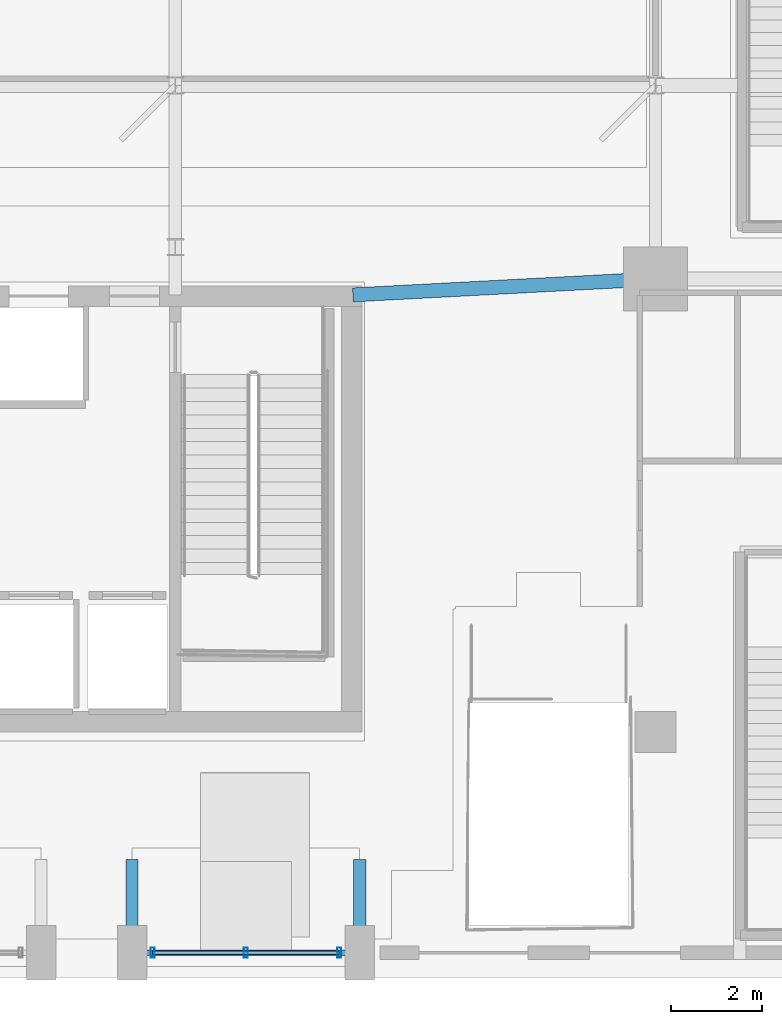
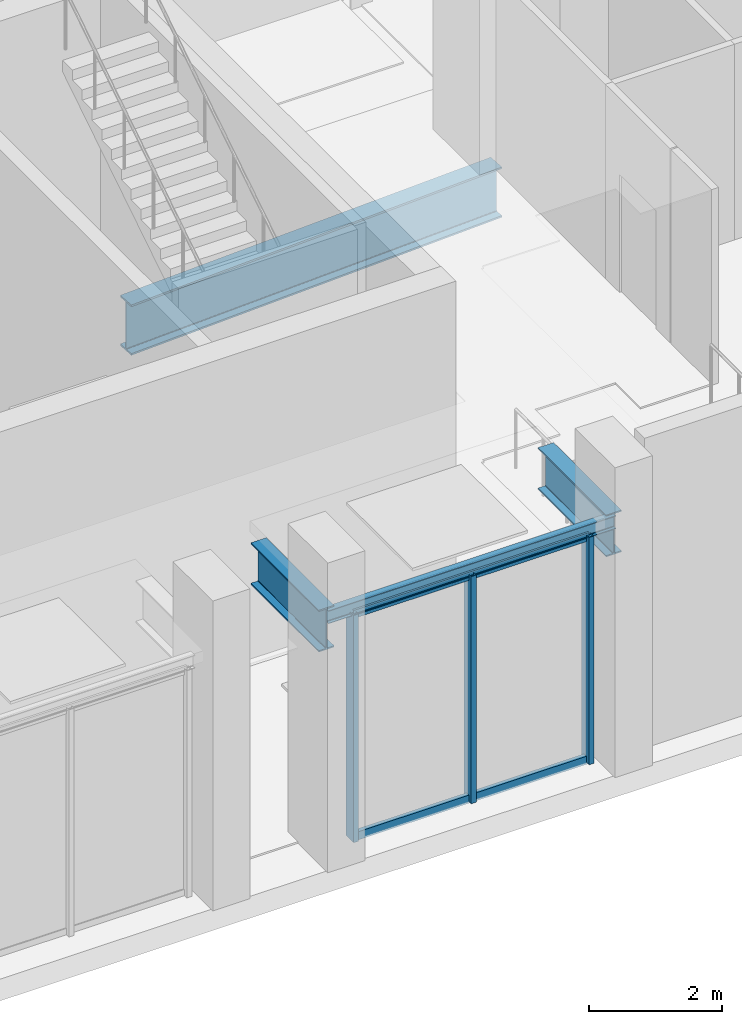
# One storey, part 9 of 36: 5 members, 4 beams, 1 element without a shape of its own.
"""IFC4 building model written with IfcOpenShell, lengths in metres."""

from ifc_helpers import new_model, si_unit, direction, frame, origin, origin_2d, place, context, subcontext, project, spatial, hollow_rectangle, i_section, extrude, material, layer, layer_set, material_profile, profile_set, type_object, element, aggregate, save


model = new_model("IFC4")

# Units and contexts
model_context = context("Model", 3, precision=1e-05, world=origin(), true_north=direction((0.0, 1.0)))
body_context = subcontext(model_context, "Body", "Model", "MODEL_VIEW")
ifc_project = project(units=[si_unit("LENGTHUNIT", "METRE"), si_unit("AREAUNIT", "SQUARE_METRE"), si_unit("VOLUMEUNIT", "CUBIC_METRE"), si_unit("PLANEANGLEUNIT", "RADIAN"), si_unit("MASSUNIT", "GRAM", prefix="KILO")], contexts=[model_context])

# Site, building, storey
site_placement = place(None, origin())
site = spatial("IfcSite", under=ifc_project, at=site_placement, CompositionType="ELEMENT")
building_placement = place(site_placement, origin())
building = spatial("IfcBuilding", under=site, at=building_placement, Name="Ndaravel Arena Tower", CompositionType="ELEMENT")
storey_placement = place(building_placement, origin())
storey = spatial("IfcBuildingStorey", under=building, at=storey_placement, Name="L00", CompositionType="ELEMENT", Elevation=0.0)

# Beams
ifc_material_1 = material(Name="Steel S355", Category="steel")
ifc_material_profile_1 = material_profile(ifc_material_1, i_section(OverallWidth=0.1201171875, OverallDepth=0.239990234375, WebThickness=0.006103515625, FlangeThickness=0.009765625, FilletRadius=0.014892578125, at=origin_2d()), Name="IPE 240")
ifc_profile_set_1 = profile_set([ifc_material_profile_1], Name="Steel S355")
beam_type_1 = type_object("IfcBeamType", Name="BM-LINTEL-IPE240", PredefinedType="LINTEL", material=ifc_profile_set_1)
beam_1_placement = place(storey_placement, frame((52.5, 0.550048828125, 4.260009765625), z_axis=(1.0, 0.0, 0.0), x_axis=(0.0, 1.0, 0.0)))
element("IfcBeam", 1, at=beam_1_placement, inside=storey, type_object=beam_type_1, Name="Portal Lintel Beam LN-04", PredefinedType="LINTEL", context=body_context, shape_type="SweptSolid", body=[
    extrude(i_section(OverallWidth=0.1201171875, OverallDepth=0.239990234375, WebThickness=0.006103515625, FlangeThickness=0.009765625, FilletRadius=0.014892578125, at=origin_2d()), origin(), (0.0, 0.0, 1.0), 5.0),
])
ifc_material_2 = material(Name="Steel S355", Category="steel")
ifc_material_profile_2 = material_profile(ifc_material_2, i_section(OverallWidth=0.26806640625, OverallDepth=0.769775390625, WebThickness=0.015625, FlangeThickness=0.025390625, FilletRadius=0.0166015625, at=origin_2d()), Name="UB 762x267x197")
ifc_profile_set_2 = profile_set([ifc_material_profile_2], Name="Steel S355")
beam_type_2 = type_object("IfcBeamType", Name="BM-POD-UB762", PredefinedType="BEAM", material=ifc_profile_set_2)
for number, where, z_axis, x_axis, name in (
    (2, (52.5, 0.550048828125, 4.01513671875), (0.0, 1.0, 0.0), (-1.0, 0.0, 0.0), "L00 Entrance Canopy Cantilever Arm 04-1"),
    (3, (57.5, 0.550048828125, 4.01513671875), (0.0, 1.0, 0.0), (-1.0, 0.0, 0.0), "L00 Entrance Canopy Cantilever Arm 04-2"),
):
    element("IfcBeam", number, at=place(storey_placement, frame(where, z_axis=z_axis, x_axis=x_axis)), inside=storey, type_object=beam_type_2, Name=name, PredefinedType="BEAM", context=body_context, shape_type="SweptSolid", body=[
        extrude(i_section(OverallWidth=0.26806640625, OverallDepth=0.769775390625, WebThickness=0.015625, FlangeThickness=0.025390625, FilletRadius=0.0166015625, at=origin_2d()), origin(), (0.0, 0.0, 1.0), 2.050048828125),
    ])
ifc_material_3 = material(Name="Steel S355", Category="steel")
ifc_material_profile_3 = material_profile(ifc_material_3, i_section(OverallWidth=0.3076171875, OverallDepth=0.926513671875, WebThickness=0.01953125, FlangeThickness=0.031982421875, FilletRadius=0.01904296875, at=origin_2d()), Name="UB 914x305x289")
ifc_profile_set_3 = profile_set([ifc_material_profile_3], Name="Steel S355")
beam_type_3 = type_object("IfcBeamType", Name="BM-POD-UB914B", PredefinedType="BEAM", material=ifc_profile_set_3)
beam_2_placement = place(storey_placement, frame((57.35009765625, 15.0, -0.86328125), z_axis=(0.99861701899, 0.052574227375, 0.0), x_axis=(-0.052574227375, 0.99861701899, 0.0)))
element("IfcBeam", 4, at=beam_2_placement, inside=storey, type_object=beam_type_3, Name="L00 Arena Ring Girder 19", PredefinedType="BEAM", context=body_context, shape_type="SweptSolid", body=[
    extrude(i_section(OverallWidth=0.3076171875, OverallDepth=0.926513671875, WebThickness=0.01953125, FlangeThickness=0.031982421875, FilletRadius=0.01904296875, at=origin_2d()), origin(), (0.0, 0.0, 1.0), 6.6591796875),
])

# Curtain wall, members
ifc_material_4 = material(Name="Aluminium", Category="aluminium")
ifc_layer = layer(ifc_material_4, 0.179931640625)
ifc_layer_set = layer_set([ifc_layer], Name="Aluminium")
curtain_wall_type = type_object("IfcCurtainWallType", Name="CW-SYS-05", PredefinedType="NOTDEFINED", material=ifc_layer_set)
curtain_wall_placement = place(storey_placement, origin())
curtain_wall = element("IfcCurtainWall", 5, at=curtain_wall_placement, inside=storey, type_object=curtain_wall_type, Name="L00 South Foyer Storefront CW-L00-SF-4", PredefinedType="NOTDEFINED")
ifc_material_5 = material(Name="Aluminium", Category="aluminium")
ifc_material_profile_4 = material_profile(ifc_material_5, hollow_rectangle(XDim=0.090087890625, YDim=0.219970703125, WallThickness=0.0048828125, at=origin_2d()), Name="CW MULLION 90x220x5")
ifc_profile_set_4 = profile_set([ifc_material_profile_4], Name="Aluminium")
member_type_1 = type_object("IfcMemberType", Name="MEM-CW-MUL220", PredefinedType="MULLION", material=ifc_profile_set_4)
member_1_placement = place(storey_placement, frame((52.949951171875, 0.550048828125, 0.0), z_axis=(0.0, 0.0, 1.0), x_axis=(1.0, 0.0, 0.0)))
member_1 = element("IfcMember", 6, at=member_1_placement, type_object=member_type_1, Name="CW-L00-SF-4 Mullion 00", PredefinedType="MULLION", context=body_context, shape_type="SweptSolid", body=[
    extrude(hollow_rectangle(XDim=0.090087890625, YDim=0.219970703125, WallThickness=0.0048828125, at=origin_2d()), origin(), (0.0, 0.0, 1.0), 4.179931640625),
])
member_2_placement = place(storey_placement, frame((55.0, 0.550048828125, 0.0), z_axis=(0.0, 0.0, 1.0), x_axis=(1.0, 0.0, 0.0)))
member_2 = element("IfcMember", 7, at=member_2_placement, type_object=member_type_1, Name="CW-L00-SF-4 Mullion 01", PredefinedType="MULLION", context=body_context, shape_type="SweptSolid", body=[
    extrude(hollow_rectangle(XDim=0.090087890625, YDim=0.219970703125, WallThickness=0.0048828125, at=origin_2d()), origin(), (0.0, 0.0, 1.0), 4.179931640625),
])
member_3_placement = place(storey_placement, frame((57.050048828125, 0.550048828125, 0.0), z_axis=(0.0, 0.0, 1.0), x_axis=(1.0, 0.0, 0.0)))
member_3 = element("IfcMember", 8, at=member_3_placement, type_object=member_type_1, Name="CW-L00-SF-4 Mullion 02", PredefinedType="MULLION", context=body_context, shape_type="SweptSolid", body=[
    extrude(hollow_rectangle(XDim=0.090087890625, YDim=0.219970703125, WallThickness=0.0048828125, at=origin_2d()), origin(), (0.0, 0.0, 1.0), 4.179931640625),
])
ifc_material_6 = material(Name="Aluminium", Category="aluminium")
ifc_material_profile_5 = material_profile(ifc_material_6, hollow_rectangle(XDim=0.074951171875, YDim=0.14990234375, WallThickness=0.00390625, at=origin_2d()), Name="CW TRANSOM 75x150x4")
ifc_profile_set_5 = profile_set([ifc_material_profile_5], Name="Aluminium")
member_type_2 = type_object("IfcMemberType", Name="MEM-CW-TRN150", PredefinedType="USERDEFINED", material=ifc_profile_set_5)
member_4_placement = place(storey_placement, frame((52.949951171875, 0.550048828125, 0.0400390625), z_axis=(1.0, 0.0, 0.0), x_axis=(0.0, 1.0, 0.0)))
member_4 = element("IfcMember", 9, at=member_4_placement, type_object=member_type_2, Name="CW-L00-SF-4 Transom 01", ObjectType="TRANSOM", PredefinedType="USERDEFINED", context=body_context, shape_type="SweptSolid", body=[
    extrude(hollow_rectangle(XDim=0.074951171875, YDim=0.14990234375, WallThickness=0.00390625, at=origin_2d()), origin(), (0.0, 0.0, 1.0), 4.10009765625),
])
member_5_placement = place(storey_placement, frame((52.949951171875, 0.550048828125, 4.139892578125), z_axis=(1.0, 0.0, 0.0), x_axis=(0.0, 1.0, 0.0)))
member_5 = element("IfcMember", 10, at=member_5_placement, type_object=member_type_2, Name="CW-L00-SF-4 Transom 02", ObjectType="TRANSOM", PredefinedType="USERDEFINED", context=body_context, shape_type="SweptSolid", body=[
    extrude(hollow_rectangle(XDim=0.074951171875, YDim=0.14990234375, WallThickness=0.00390625, at=origin_2d()), origin(), (0.0, 0.0, 1.0), 4.10009765625),
])
aggregate(curtain_wall, [member_1, member_2, member_3, member_4, member_5])

save(model, "model.ifc")
